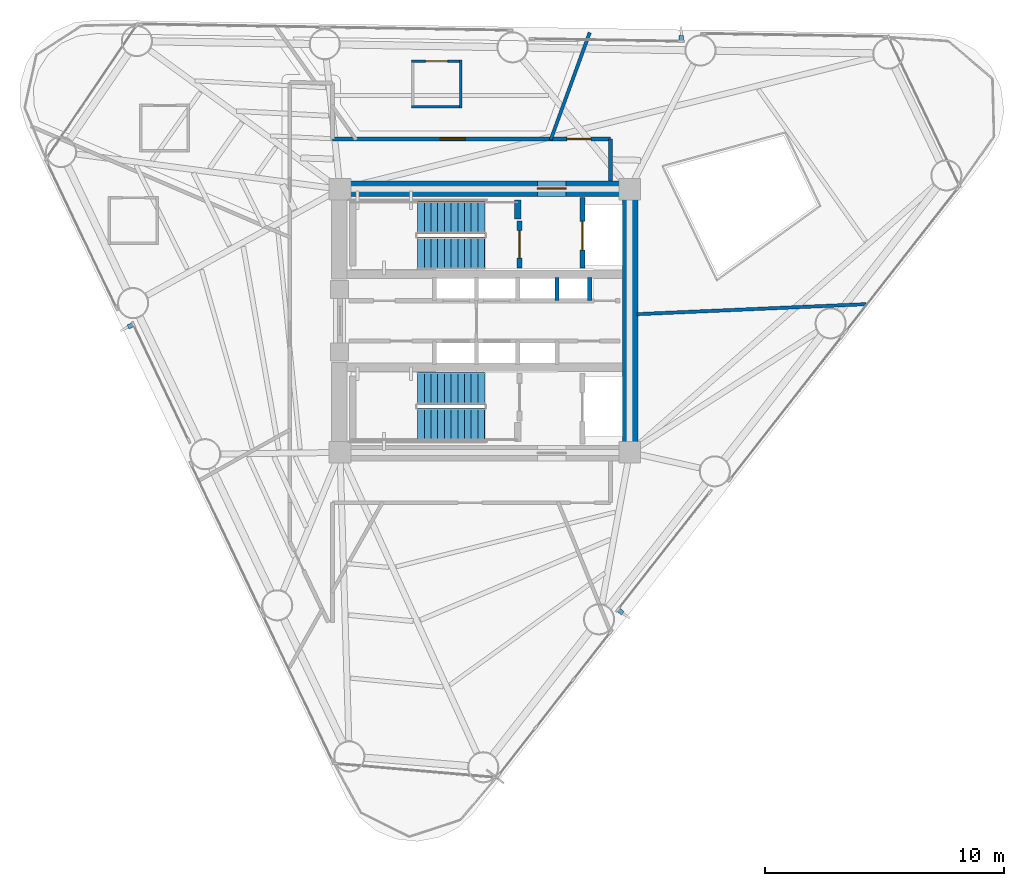
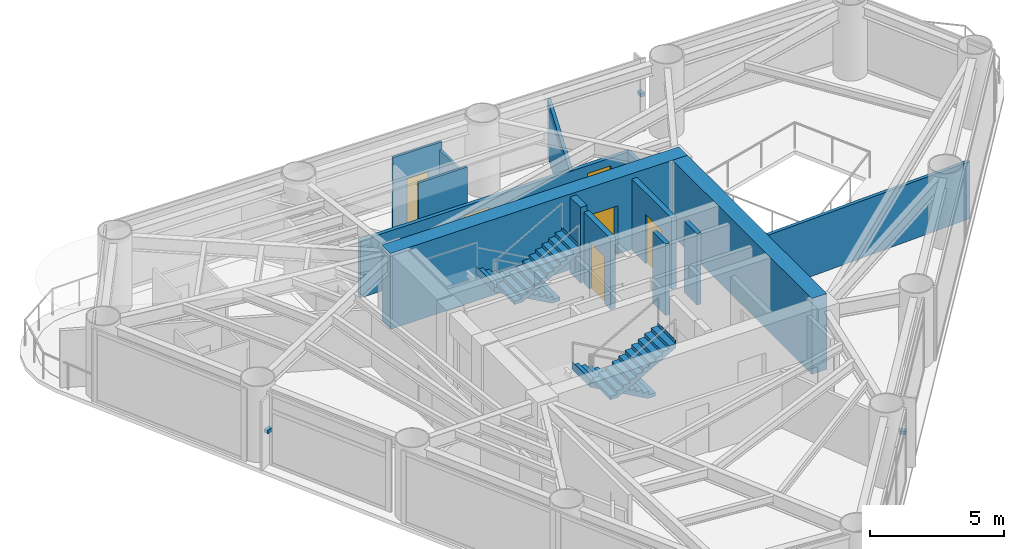
# One storey, part 7 of 10: 14 walls, 6 doors, 4 stair flights, 3 discrete accessories, 6 openings, 2 elements without a shape of their own.
"""IFC4 building model written with IfcOpenShell, lengths in metres."""

from ifc_helpers import new_model, si_unit, direction, frame, frame_2d, origin, origin_2d, place, context, subcontext, project, spatial, polyline, rectangle, outline, extrude, source, transform, mapped, material, layer, layer_set, type_object, element, fill, aggregate, save


model = new_model("IFC4")

# Units and contexts
model_context = context("Model", 3, precision=1e-05, world=origin(), true_north=direction((0.0, 1.0)))
body_context = subcontext(model_context, "Body", "Model", "MODEL_VIEW")
ifc_project = project(units=[si_unit("LENGTHUNIT", "METRE"), si_unit("AREAUNIT", "SQUARE_METRE"), si_unit("VOLUMEUNIT", "CUBIC_METRE"), si_unit("PLANEANGLEUNIT", "RADIAN"), si_unit("MASSUNIT", "GRAM", prefix="KILO")], contexts=[model_context])

# Site, building, storey
site_placement = place(None, origin())
site = spatial("IfcSite", under=ifc_project, at=site_placement, CompositionType="ELEMENT")
building_placement = place(site_placement, origin())
building = spatial("IfcBuilding", under=site, at=building_placement, Name="Yunling Apex Tower", CompositionType="ELEMENT")
storey_placement = place(building_placement, frame((0.0, 0.0, 139.85009765625)))
storey = spatial("IfcBuildingStorey", under=building, at=storey_placement, Name="L34", CompositionType="ELEMENT", Elevation=139.85009765625)

# Wall, opening, door
ifc_material_1 = material(Name="Concrete C50", Category="concrete")
ifc_layer_1 = layer(ifc_material_1, 0.64990234375)
ifc_layer_set_1 = layer_set([ifc_layer_1], Name="Concrete C50")
wall_type_1 = type_object("IfcWallType", Name="WL-COR-2", PredefinedType="SHEAR", material=ifc_layer_set_1)
wall_1_placement = place(storey_placement, frame((-6.39990234375, 5.52490234375, 0.0), z_axis=(0.0, 0.0, 1.0), x_axis=(1.0, 0.0, 0.0)))
wall_1 = element("IfcWall", 1, at=wall_1_placement, inside=storey, type_object=wall_type_1, Name="L34 North Core Shear Wall", PredefinedType="SHEAR", context=body_context, shape_type="SweptSolid", body=[
    extrude(rectangle(XDim=12.7998046875, YDim=0.64990234375, at=frame_2d((6.39990234375, 0.0))), origin(), (0.0, 0.0, 1.0), 3.449951171875),
])
opening_1_placement = place(wall_1_placement, frame((8.60009765625, 0.0, 0.0)))
opening_1 = element("IfcOpeningElement", 2, at=opening_1_placement, cuts=wall_1, Name="Opening DR-FFL-1", PredefinedType="OPENING", context=body_context, shape_type="SweptSolid", body=[
    extrude(rectangle(XDim=1.199951171875, YDim=2.199951171875, at=frame_2d((0.60009765625, 1.10009765625))), frame((0.0, 0.3349609375, 0.0), z_axis=(0.0, -1.0, 0.0), x_axis=(1.0, 0.0, 0.0)), (0.0, 0.0, 1.0), 0.669921875),
])
ifc_material_2 = material(Name="Steel Q355B", Category="steel")
door_type_1 = type_object("IfcDoorType", Name="DR-FFL-1", OperationType="NOTDEFINED", PredefinedType="DOOR", material=ifc_material_2)
door_1_placement = place(opening_1_placement, origin())
door_1 = element("IfcDoor", 3, at=door_1_placement, inside=storey, type_object=door_type_1, Name="L34 North Firefighting Lobby Door", OperationType="SINGLE_SWING_LEFT", OverallHeight=2.199951171875, OverallWidth=1.199951171875, PredefinedType="DOOR", context=body_context, shape_type="SweptSolid", body=[
    extrude(rectangle(XDim=1.199951171875, YDim=2.199951171875, at=frame_2d((0.60009765625, 1.10009765625))), frame((0.0, 0.02490234375, 0.0), z_axis=(0.0, -1.0, 0.0), x_axis=(1.0, 0.0, 0.0)), (0.0, 0.0, 1.0), 0.050048828125),
])
fill(opening_1, door_1)

# Walls
wall_2_placement = place(storey_placement, frame((6.074951171875, -5.199951171875, 0.0), z_axis=(0.0, 0.0, 1.0), x_axis=(0.0, 1.0, 0.0)))
element("IfcWall", 4, at=wall_2_placement, inside=storey, type_object=wall_type_1, Name="L34 East Core Shear Wall", PredefinedType="SHEAR", context=body_context, shape_type="SweptSolid", body=[
    extrude(rectangle(XDim=10.39990234375, YDim=0.64990234375, at=frame_2d((5.199951171875, 0.0))), origin(), (0.0, 0.0, 1.0), 3.449951171875),
])
ifc_material_3 = material(Name="Concrete C40", Category="concrete")
ifc_layer_2 = layer(ifc_material_3, 0.280029296875)
ifc_layer_set_2 = layer_set([ifc_layer_2], Name="Concrete C40")
wall_type_2 = type_object("IfcWallType", Name="WL-COR-8", PredefinedType="SHEAR", material=ifc_layer_set_2)
wall_3_placement = place(storey_placement, frame((1.3798828125, 4.25, 0.0), z_axis=(0.0, 0.0, 1.0), x_axis=(0.0, 1.0, 0.0)))
element("IfcWall", 5, at=wall_3_placement, inside=storey, type_object=wall_type_2, Name="L34 ST-1 East Landing Bearing Pier", PredefinedType="SHEAR", context=body_context, shape_type="SweptSolid", body=[
    extrude(rectangle(XDim=0.800048828125, YDim=0.280029296875, at=frame_2d((0.39990234375, 0.0))), origin(), (0.0, 0.0, 1.0), 3.449951171875),
])

# Wall, openings, doors
ifc_material_4 = material(Name="Gypsum board acoustic partition")
ifc_layer_3 = layer(ifc_material_4, 0.159912109375)
ifc_layer_set_3 = layer_set([ifc_layer_3], Name="Gypsum board acoustic partition")
wall_type_3 = type_object("IfcWallType", Name="WL-PRT-1", PredefinedType="PARTITIONING", material=ifc_layer_set_3)
wall_4_placement = place(storey_placement, frame((-6.360107421875, 7.60009765625, 0.0), z_axis=(0.0, 0.0, 1.0), x_axis=(1.0, 0.0, 0.0)))
wall_4 = element("IfcWall", 6, at=wall_4_placement, inside=storey, type_object=wall_type_3, Name="WL-CORR-L34-07", PredefinedType="PARTITIONING", context=body_context, shape_type="SweptSolid", body=[
    extrude(rectangle(XDim=11.610107421875, YDim=0.159912109375, at=frame_2d((5.80517578125, 0.0))), origin(), (0.0, 0.0, 1.0), 2.60498046875),
])
opening_2_placement = place(wall_4_placement, frame((4.501220703125, 0.0, 0.0)))
opening_2 = element("IfcOpeningElement", 7, at=opening_2_placement, cuts=wall_4, Name="Opening DR-FL-1", PredefinedType="OPENING", context=body_context, shape_type="SweptSolid", body=[
    extrude(rectangle(XDim=1.050048828125, YDim=2.199951171875, at=frame_2d((0.52490234375, 1.10009765625))), frame((0.0, 0.08984375, 0.0), z_axis=(0.0, -1.0, 0.0), x_axis=(1.0, 0.0, 0.0)), (0.0, 0.0, 1.0), 0.179931640625),
])
opening_3_placement = place(wall_4_placement, frame((9.791259765625, 0.0, 0.0)))
opening_3 = element("IfcOpeningElement", 8, at=opening_3_placement, cuts=wall_4, Name="Opening DR-OFF-1", PredefinedType="OPENING", context=body_context, shape_type="SweptSolid", body=[
    extrude(rectangle(XDim=1.0, YDim=2.25, at=frame_2d((0.5, 1.125))), frame((0.0, 0.08984375, 0.0), z_axis=(0.0, -1.0, 0.0), x_axis=(1.0, 0.0, 0.0)), (0.0, 0.0, 1.0), 0.179931640625),
])
ifc_material_5 = material(Name="Timber fire-rated leaf", Category="wood")
door_type_2 = type_object("IfcDoorType", Name="DR-FL-1", OperationType="NOTDEFINED", PredefinedType="DOOR", material=ifc_material_5)
door_2_placement = place(opening_2_placement, origin())
door_2 = element("IfcDoor", 9, at=door_2_placement, inside=storey, type_object=door_type_2, Name="L34 Hotel Suite Door", OperationType="SINGLE_SWING_LEFT", OverallHeight=2.199951171875, OverallWidth=1.050048828125, PredefinedType="DOOR", context=body_context, shape_type="SweptSolid", body=[
    extrude(rectangle(XDim=1.050048828125, YDim=2.199951171875, at=frame_2d((0.52490234375, 1.10009765625))), frame((0.0, 0.02490234375, 0.0), z_axis=(0.0, -1.0, 0.0), x_axis=(1.0, 0.0, 0.0)), (0.0, 0.0, 1.0), 0.050048828125),
])
fill(opening_2, door_2)
ifc_material_6 = material(Name="Bronze anodised aluminium", Category="aluminium")
door_type_3 = type_object("IfcDoorType", Name="DR-OFF-1", OperationType="NOTDEFINED", PredefinedType="DOOR", material=ifc_material_6)
door_3_placement = place(opening_3_placement, origin())
door_3 = element("IfcDoor", 10, at=door_3_placement, inside=storey, type_object=door_type_3, Name="L34 Hotel Fitness Club Door", OperationType="SINGLE_SWING_RIGHT", OverallHeight=2.25, OverallWidth=1.0, PredefinedType="DOOR", context=body_context, shape_type="SweptSolid", body=[
    extrude(rectangle(XDim=1.0, YDim=2.25, at=frame_2d((0.5, 1.125))), frame((0.0, 0.02490234375, 0.0), z_axis=(0.0, -1.0, 0.0), x_axis=(1.0, 0.0, 0.0)), (0.0, 0.0, 1.0), 0.050048828125),
])
fill(opening_3, door_3)

# Walls
wall_5_placement = place(storey_placement, frame((5.25, 7.60009765625, 0.0), z_axis=(0.0, 0.0, 1.0), x_axis=(0.0, -1.0, 0.0)))
element("IfcWall", 11, at=wall_5_placement, inside=storey, type_object=wall_type_3, Name="WL-CORR-L34-08", PredefinedType="PARTITIONING", context=body_context, shape_type="SweptSolid", body=[
    extrude(rectangle(XDim=1.75, YDim=0.159912109375, at=frame_2d((0.875, 0.0))), origin(), (0.0, 0.0, 1.0), 2.60498046875),
])
ifc_layer_4 = layer(ifc_material_4, 0.139892578125)
ifc_layer_set_4 = layer_set([ifc_layer_4], Name="Gypsum board acoustic partition")
wall_type_4 = type_object("IfcWallType", Name="WL-PRT-2", PredefinedType="PARTITIONING", material=ifc_layer_set_4)
wall_6_placement = place(storey_placement, frame((6.360107421875, 0.277587890625, 0.0), z_axis=(0.0, 0.0, 1.0), x_axis=(0.999047913846, 0.043626435113, 0.0)))
element("IfcWall", 12, at=wall_6_placement, inside=storey, type_object=wall_type_4, Name="WL-RAD-L34-01", PredefinedType="PARTITIONING", context=body_context, shape_type="SweptSolid", body=[
    extrude(rectangle(XDim=9.574951171875, YDim=0.139892578125, at=frame_2d((4.78759765625, 0.0))), origin(), (0.0, 0.0, 1.0), 2.60498046875),
])
wall_7_placement = place(storey_placement, frame((2.751708984375, 7.56005859375, 0.0), z_axis=(0.0, 0.0, 1.0), x_axis=(0.342010136434, 0.939696262936, 0.0)))
element("IfcWall", 13, at=wall_7_placement, inside=storey, type_object=wall_type_4, Name="WL-RAD-L34-02", PredefinedType="PARTITIONING", context=body_context, shape_type="SweptSolid", body=[
    extrude(rectangle(XDim=4.7705078125, YDim=0.139892578125, at=frame_2d((2.38525390625, 0.0))), origin(), (0.0, 0.0, 1.0), 2.60498046875),
])

# Wall, opening, door
ifc_layer_5 = layer(ifc_material_4, 0.10009765625)
ifc_layer_set_5 = layer_set([ifc_layer_5], Name="Gypsum board acoustic partition")
wall_type_5 = type_object("IfcWallType", Name="WL-PRT-4", PredefinedType="PARTITIONING", material=ifc_layer_set_5)
wall_8_placement = place(storey_placement, frame((-3.05908203125, 10.842041015625, 0.0), z_axis=(0.0, 0.0, 1.0), x_axis=(1.0, 0.0, 0.0)))
wall_8 = element("IfcWall", 14, at=wall_8_placement, inside=storey, type_object=wall_type_5, Name="WL-ENS-L34-5N", PredefinedType="PARTITIONING", context=body_context, shape_type="SweptSolid", body=[
    extrude(rectangle(XDim=2.10009765625, YDim=0.10009765625, at=frame_2d((1.050048828125, 0.0))), origin(), (0.0, 0.0, 1.0), 3.25),
])
opening_4_placement = place(wall_8_placement, frame((0.590087890625, 0.0, 0.0)))
opening_4 = element("IfcOpeningElement", 15, at=opening_4_placement, cuts=wall_8, Name="Opening DR-WC-1", PredefinedType="OPENING", context=body_context, shape_type="SweptSolid", body=[
    extrude(rectangle(XDim=0.919921875, YDim=2.10009765625, at=frame_2d((0.4599609375, 1.050048828125))), frame((0.0, 0.06005859375, 0.0), z_axis=(0.0, -1.0, 0.0), x_axis=(1.0, 0.0, 0.0)), (0.0, 0.0, 1.0), 0.1201171875),
])
ifc_material_7 = material(Name="Timber moisture-resistant leaf", Category="wood")
door_type_4 = type_object("IfcDoorType", Name="DR-WC-1", OperationType="NOTDEFINED", PredefinedType="DOOR", material=ifc_material_7)
door_4_placement = place(opening_4_placement, origin())
door_4 = element("IfcDoor", 16, at=door_4_placement, inside=storey, type_object=door_type_4, Name="L34 En-Suite Door", OperationType="SINGLE_SWING_LEFT", OverallHeight=2.10009765625, OverallWidth=0.919921875, PredefinedType="DOOR", context=body_context, shape_type="SweptSolid", body=[
    extrude(rectangle(XDim=0.919921875, YDim=2.10009765625, at=frame_2d((0.4599609375, 1.050048828125))), frame((0.0, 0.02490234375, 0.0), z_axis=(0.0, -1.0, 0.0), x_axis=(1.0, 0.0, 0.0)), (0.0, 0.0, 1.0), 0.050048828125),
])
fill(opening_4, door_4)

# Walls
wall_9_placement = place(storey_placement, frame((-0.958984375, 8.94189453125, 0.0), z_axis=(0.0, 0.0, 1.0), x_axis=(-1.0, 0.0, 0.0)))
element("IfcWall", 17, at=wall_9_placement, inside=storey, type_object=wall_type_5, Name="WL-ENS-L34-5S", PredefinedType="PARTITIONING", context=body_context, shape_type="SweptSolid", body=[
    extrude(rectangle(XDim=2.10009765625, YDim=0.10009765625, at=frame_2d((1.050048828125, 0.0))), origin(), (0.0, 0.0, 1.0), 3.25),
])
wall_10_placement = place(storey_placement, frame((-1.009033203125, 10.89208984375, 0.0), z_axis=(0.0, 0.0, 1.0), x_axis=(0.0, -1.0, 0.0)))
element("IfcWall", 18, at=wall_10_placement, inside=storey, type_object=wall_type_5, Name="WL-ENS-L34-5E", PredefinedType="PARTITIONING", context=body_context, shape_type="SweptSolid", body=[
    extrude(rectangle(XDim=2.0, YDim=0.10009765625, at=frame_2d((1.0, 0.0))), origin(), (0.0, 0.0, 1.0), 2.90478515625),
])

# Wall, opening, door
ifc_material_8 = material(Name="Autoclaved aerated concrete masonry", Category="masonry")
ifc_layer_6 = layer(ifc_material_8, 0.219970703125)
ifc_layer_set_6 = layer_set([ifc_layer_6], Name="Autoclaved aerated concrete masonry")
wall_type_6 = type_object("IfcWallType", Name="WL-SHF-1", PredefinedType="PLUMBINGWALL", material=ifc_layer_set_6)
wall_11_placement = place(storey_placement, frame((1.449951171875, 2.199951171875, 0.0), z_axis=(0.0, 0.0, 1.0), x_axis=(0.0, 1.0, 0.0)))
wall_11 = element("IfcWall", 19, at=wall_11_placement, inside=storey, type_object=wall_type_6, Name="WL-ST1-E-L34", PredefinedType="PLUMBINGWALL", context=body_context, shape_type="SweptSolid", body=[
    extrude(rectangle(XDim=1.97998046875, YDim=0.219970703125, at=frame_2d((0.989990234375, 0.0))), origin(), (0.0, 0.0, 1.0), 3.25),
])
opening_5_placement = place(wall_11_placement, frame((0.419921875, 0.0, 0.0)))
opening_5 = element("IfcOpeningElement", 20, at=opening_5_placement, cuts=wall_11, Name="Opening DR-ST-1", PredefinedType="OPENING", context=body_context, shape_type="SweptSolid", body=[
    extrude(rectangle(XDim=1.14990234375, YDim=2.14990234375, at=frame_2d((0.574951171875, 1.074951171875))), frame((0.0, 0.1201171875, 0.0), z_axis=(0.0, -1.0, 0.0), x_axis=(1.0, 0.0, 0.0)), (0.0, 0.0, 1.0), 0.239990234375),
])
door_type_5 = type_object("IfcDoorType", Name="DR-ST-1", OperationType="NOTDEFINED", PredefinedType="DOOR", material=ifc_material_2)
door_5_placement = place(opening_5_placement, origin())
door_5 = element("IfcDoor", 21, at=door_5_placement, inside=storey, type_object=door_type_5, Name="L34 Stair ST-1 Fire Door", OperationType="SINGLE_SWING_RIGHT", OverallHeight=2.14990234375, OverallWidth=1.14990234375, PredefinedType="DOOR", context=body_context, shape_type="SweptSolid", body=[
    extrude(rectangle(XDim=1.14990234375, YDim=2.14990234375, at=frame_2d((0.574951171875, 1.074951171875))), frame((0.0, 0.02490234375, 0.0), z_axis=(0.0, -1.0, 0.0), x_axis=(1.0, 0.0, 0.0)), (0.0, 0.0, 1.0), 0.050048828125),
])
fill(opening_5, door_5)

wall_12_placement = place(storey_placement, frame((4.080078125, 2.199951171875, 0.0), z_axis=(0.0, 0.0, 1.0), x_axis=(0.0, 1.0, 0.0)))
wall_12 = element("IfcWall", 22, at=wall_12_placement, inside=storey, type_object=wall_type_6, Name="WL-FFL1-W-L34", PredefinedType="PLUMBINGWALL", context=body_context, shape_type="SweptSolid", body=[
    extrude(rectangle(XDim=2.949951171875, YDim=0.219970703125, at=frame_2d((1.47509765625, 0.0))), origin(), (0.0, 0.0, 1.0), 3.25),
])
opening_6_placement = place(wall_12_placement, frame((0.75, 0.0, 0.0)))
opening_6 = element("IfcOpeningElement", 23, at=opening_6_placement, cuts=wall_12, Name="Opening LD-FFL-1", PredefinedType="OPENING", context=body_context, shape_type="SweptSolid", body=[
    extrude(rectangle(XDim=1.199951171875, YDim=2.25, at=frame_2d((0.60009765625, 1.125))), frame((0.0, 0.1201171875, 0.0), z_axis=(0.0, -1.0, 0.0), x_axis=(1.0, 0.0, 0.0)), (0.0, 0.0, 1.0), 0.239990234375),
])
door_type_6 = type_object("IfcDoorType", Name="LD-FFL-1", OperationType="DOUBLE_DOOR_SLIDING", PredefinedType="DOOR", material=ifc_material_2)
door_6_placement = place(opening_6_placement, origin())
door_6 = element("IfcDoor", 24, at=door_6_placement, inside=storey, type_object=door_type_6, Name="L34 Lift FFL-1 Landing Door", OperationType="DOUBLE_DOOR_SLIDING", OverallHeight=2.25, OverallWidth=1.199951171875, PredefinedType="DOOR", context=body_context, shape_type="SweptSolid", body=[
    extrude(rectangle(XDim=1.199951171875, YDim=2.25, at=frame_2d((0.60009765625, 1.125))), frame((0.0, 0.02490234375, 0.0), z_axis=(0.0, -1.0, 0.0), x_axis=(1.0, 0.0, 0.0)), (0.0, 0.0, 1.0), 0.050048828125),
])
fill(opening_6, door_6)

# Walls
ifc_layer_7 = layer(ifc_material_8, 0.179931640625)
ifc_layer_set_7 = layer_set([ifc_layer_7], Name="Autoclaved aerated concrete masonry")
wall_type_7 = type_object("IfcWallType", Name="WL-SHF-2", PredefinedType="PLUMBINGWALL", material=ifc_layer_set_7)
for number, where, z_axis, x_axis, name in (
    (25, (3.02001953125, 0.840087890625, 0.0), (0.0, 0.0, 1.0), (0.0, 1.0, 0.0), "WL-DIV-H13-L34"),
    (26, (4.3798828125, 0.840087890625, 0.0), (0.0, 0.0, 1.0), (0.0, 1.0, 0.0), "WL-END-H3E-L34"),
):
    element("IfcWall", number, at=place(storey_placement, frame(where, z_axis=z_axis, x_axis=x_axis)), inside=storey, type_object=wall_type_7, Name=name, PredefinedType="PLUMBINGWALL", context=body_context, shape_type="SweptSolid", body=[
        extrude(rectangle(XDim=0.97998046875, YDim=0.179931640625, at=frame_2d((0.489990234375, 0.0))), origin(), (0.0, 0.0, 1.0), 3.25),
    ])

# Stair, stair flights
stair_type = type_object("IfcStairType", Name="ST-TWR-2", PredefinedType="HALF_TURN_STAIR", material=ifc_material_3)
stair_1_placement = place(storey_placement, origin())
stair_1 = element("IfcStair", 27, at=stair_1_placement, inside=storey, type_object=stair_type, Name="L34 North Core Smokeproof Exit Stair ST-1", PredefinedType="HALF_TURN_STAIR")
stair_flight_type = type_object("IfcStairFlightType", Name="SFL-TWR-2", PredefinedType="STRAIGHT", material=ifc_material_3)
stair_flight_1_placement = place(storey_placement, frame((-0.010009765625, 4.330078125, 0.0), z_axis=(0.0, 0.0, 1.0), x_axis=(-1.0, 0.0, 0.0)))
stair_flight_1 = element("IfcStairFlight", 28, at=stair_flight_1_placement, type_object=stair_flight_type, Name="ST-1 flight 1", NumberOfRisers=11, NumberOfTreads=10, PredefinedType="STRAIGHT", RiserHeight=0.156818182, TreadLength=0.28, context=body_context, shape_type="SweptSolid", body=[
    extrude(outline(polyline([(-0.011962890625, 0.0), (-0.011962890625, 0.15673828125), (0.0, 0.15673828125), (0.280029296875, 0.15673828125), (0.280029296875, 0.313720703125), (0.56005859375, 0.313720703125), (0.56005859375, 0.470458984375), (0.840087890625, 0.470458984375), (0.840087890625, 0.627197265625), (1.1201171875, 0.627197265625), (1.1201171875, 0.7841796875), (1.39990234375, 0.7841796875), (1.39990234375, 0.94091796875), (1.679931640625, 0.94091796875), (1.679931640625, 1.09765625), (1.9599609375, 1.09765625), (1.9599609375, 1.254638671875), (2.239990234375, 1.254638671875), (2.239990234375, 1.411376953125), (2.52001953125, 1.411376953125), (2.52001953125, 1.568115234375), (2.800048828125, 1.568115234375), (2.800048828125, 1.72509765625), (2.81201171875, 1.72509765625), (2.81201171875, 1.385009765625), (0.3271484375, 0.0), (-0.011962890625, 0.0)])), frame((0.0, 0.68017578125, 0.0), z_axis=(0.0, -1.0, 0.0), x_axis=(1.0, 0.0, 0.0)), (0.0, 0.0, 1.0), 1.360107421875),
])
stair_flight_2_placement = place(storey_placement, frame((-2.81005859375, 2.820068359375, 1.724853515625), z_axis=(0.0, 0.0, 1.0), x_axis=(1.0, 0.0, 0.0)))
stair_flight_2 = element("IfcStairFlight", 29, at=stair_flight_2_placement, type_object=stair_flight_type, Name="ST-1 flight 2", NumberOfRisers=11, NumberOfTreads=10, PredefinedType="STRAIGHT", RiserHeight=0.156818182, TreadLength=0.28, context=body_context, shape_type="SweptSolid", body=[
    extrude(outline(polyline([(-0.011962890625, 0.0), (-0.011962890625, 0.15673828125), (0.0, 0.15673828125), (0.280029296875, 0.15673828125), (0.280029296875, 0.313720703125), (0.56005859375, 0.313720703125), (0.56005859375, 0.470458984375), (0.840087890625, 0.470458984375), (0.840087890625, 0.627197265625), (1.1201171875, 0.627197265625), (1.1201171875, 0.7841796875), (1.39990234375, 0.7841796875), (1.39990234375, 0.94091796875), (1.679931640625, 0.94091796875), (1.679931640625, 1.09765625), (1.9599609375, 1.09765625), (1.9599609375, 1.254638671875), (2.239990234375, 1.254638671875), (2.239990234375, 1.411376953125), (2.52001953125, 1.411376953125), (2.52001953125, 1.568115234375), (2.800048828125, 1.568115234375), (2.800048828125, 1.72509765625), (2.81201171875, 1.72509765625), (2.81201171875, 1.385009765625), (0.3271484375, 0.0), (-0.011962890625, 0.0)])), frame((0.0, 0.68017578125, 0.0), z_axis=(0.0, -1.0, 0.0), x_axis=(1.0, 0.0, 0.0)), (0.0, 0.0, 1.0), 1.360107421875),
])
aggregate(stair_1, [stair_flight_1, stair_flight_2])

stair_2_placement = place(storey_placement, origin())
stair_2 = element("IfcStair", 30, at=stair_2_placement, inside=storey, type_object=stair_type, Name="L34 South Core Smokeproof Exit Stair ST-2", PredefinedType="HALF_TURN_STAIR")
stair_flight_3_placement = place(storey_placement, frame((-0.010009765625, -2.820068359375, 0.0), z_axis=(0.0, 0.0, 1.0), x_axis=(-1.0, 0.0, 0.0)))
stair_flight_3 = element("IfcStairFlight", 31, at=stair_flight_3_placement, type_object=stair_flight_type, Name="ST-2 flight 1", NumberOfRisers=11, NumberOfTreads=10, PredefinedType="STRAIGHT", RiserHeight=0.156818182, TreadLength=0.28, context=body_context, shape_type="SweptSolid", body=[
    extrude(outline(polyline([(-0.011962890625, 0.0), (-0.011962890625, 0.15673828125), (0.0, 0.15673828125), (0.280029296875, 0.15673828125), (0.280029296875, 0.313720703125), (0.56005859375, 0.313720703125), (0.56005859375, 0.470458984375), (0.840087890625, 0.470458984375), (0.840087890625, 0.627197265625), (1.1201171875, 0.627197265625), (1.1201171875, 0.7841796875), (1.39990234375, 0.7841796875), (1.39990234375, 0.94091796875), (1.679931640625, 0.94091796875), (1.679931640625, 1.09765625), (1.9599609375, 1.09765625), (1.9599609375, 1.254638671875), (2.239990234375, 1.254638671875), (2.239990234375, 1.411376953125), (2.52001953125, 1.411376953125), (2.52001953125, 1.568115234375), (2.800048828125, 1.568115234375), (2.800048828125, 1.72509765625), (2.81201171875, 1.72509765625), (2.81201171875, 1.385009765625), (0.3271484375, 0.0), (-0.011962890625, 0.0)])), frame((0.0, 0.68017578125, 0.0), z_axis=(0.0, -1.0, 0.0), x_axis=(1.0, 0.0, 0.0)), (0.0, 0.0, 1.0), 1.360107421875),
])
stair_flight_4_placement = place(storey_placement, frame((-2.81005859375, -4.330078125, 1.724853515625), z_axis=(0.0, 0.0, 1.0), x_axis=(1.0, 0.0, 0.0)))
stair_flight_4 = element("IfcStairFlight", 32, at=stair_flight_4_placement, type_object=stair_flight_type, Name="ST-2 flight 2", NumberOfRisers=11, NumberOfTreads=10, PredefinedType="STRAIGHT", RiserHeight=0.156818182, TreadLength=0.28, context=body_context, shape_type="SweptSolid", body=[
    extrude(outline(polyline([(-0.011962890625, 0.0), (-0.011962890625, 0.15673828125), (0.0, 0.15673828125), (0.280029296875, 0.15673828125), (0.280029296875, 0.313720703125), (0.56005859375, 0.313720703125), (0.56005859375, 0.470458984375), (0.840087890625, 0.470458984375), (0.840087890625, 0.627197265625), (1.1201171875, 0.627197265625), (1.1201171875, 0.7841796875), (1.39990234375, 0.7841796875), (1.39990234375, 0.94091796875), (1.679931640625, 0.94091796875), (1.679931640625, 1.09765625), (1.9599609375, 1.09765625), (1.9599609375, 1.254638671875), (2.239990234375, 1.254638671875), (2.239990234375, 1.411376953125), (2.52001953125, 1.411376953125), (2.52001953125, 1.568115234375), (2.800048828125, 1.568115234375), (2.800048828125, 1.72509765625), (2.81201171875, 1.72509765625), (2.81201171875, 1.385009765625), (0.3271484375, 0.0), (-0.011962890625, 0.0)])), frame((0.0, 0.68017578125, 0.0), z_axis=(0.0, -1.0, 0.0), x_axis=(1.0, 0.0, 0.0)), (0.0, 0.0, 1.0), 1.360107421875),
])
aggregate(stair_2, [stair_flight_3, stair_flight_4])

# Discrete accessories
discrete_accessory_type = type_object("IfcDiscreteAccessoryType", Name="BK-FIN-1", PredefinedType="BRACKET", material=ifc_material_2)
shared_shape = source(origin(), body_context, "Body", "SweptSolid", [
    extrude(rectangle(XDim=0.179931640625, YDim=0.260009765625, at=origin_2d()), origin(), (0.0, 0.0, 1.0), 0.159912109375),
])
for number, where, z_axis, x_axis, name in (
    (33, (5.658447265625, -12.135986328125, 1.55517578125), (0.0, 0.0, 1.0), (0.616211460536, 0.787580748815, 0.0), "CW-L34-F1-B2-BRK-01-1"),
    (34, (8.207763671875, 11.798828125, 1.55517578125), (0.0, 0.0, 1.0), (-0.999859635577, 0.016754376869, 0.0), "CW-L34-F2-B2-BRK-01-1"),
    (35, (-14.790283203125, -0.201416015625, 1.55517578125), (0.0, 0.0, 1.0), (0.430511096808, -0.90258528435, 0.0), "CW-L34-F3-B2-BRK-01-1"),
):
    element("IfcDiscreteAccessory", number, at=place(storey_placement, frame(where, z_axis=z_axis, x_axis=x_axis)), inside=storey, type_object=discrete_accessory_type, Name=name, PredefinedType="BRACKET", context=body_context, shape_type="MappedRepresentation", body=[
        mapped(shared_shape, transform((0.0, 0.0, 0.0), scale=1.0)),
    ])

save(model, "model.ifc")
